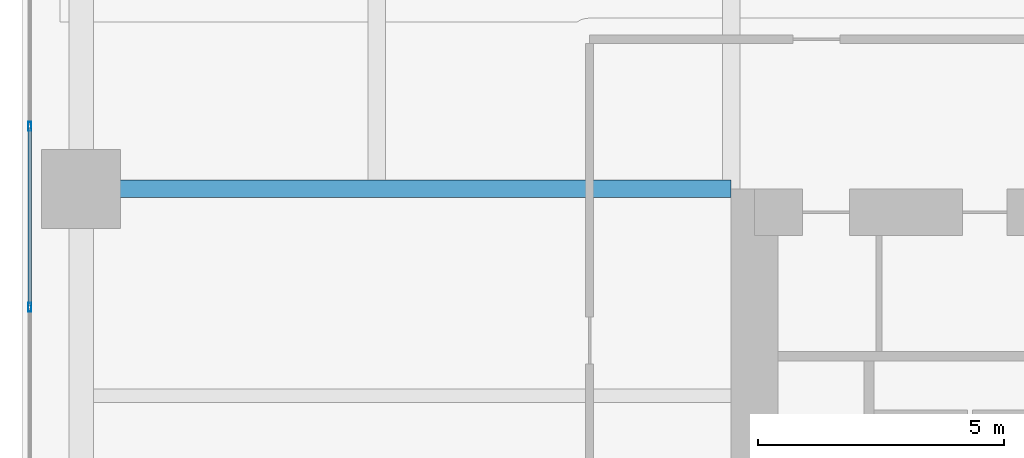
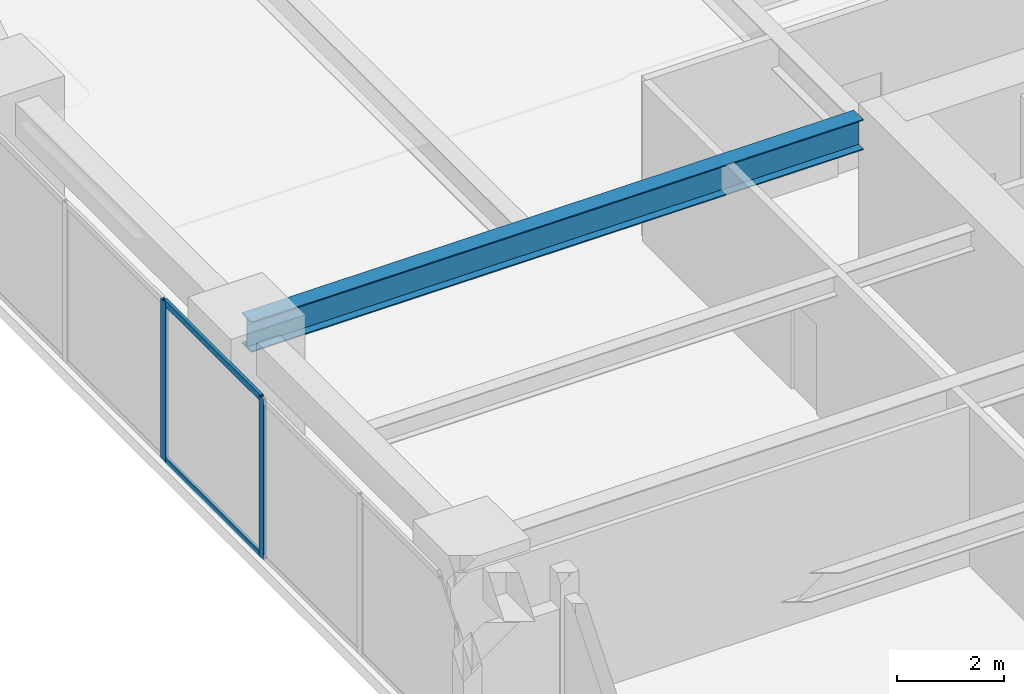
# One storey, part 11 of 28: 4 members, 1 beam, 1 element without a shape of its own.
"""IFC4 building model written with IfcOpenShell, lengths in metres."""

from ifc_helpers import new_model, si_unit, direction, frame, origin, origin_2d, place, context, subcontext, project, spatial, hollow_rectangle, i_section, extrude, material, layer, layer_set, material_profile, profile_set, type_object, element, aggregate, save


model = new_model("IFC4")

# Units and contexts
model_context = context("Model", 3, precision=1e-05, world=origin(), true_north=direction((0.0, 1.0)))
body_context = subcontext(model_context, "Body", "Model", "MODEL_VIEW")
ifc_project = project(units=[si_unit("LENGTHUNIT", "METRE"), si_unit("AREAUNIT", "SQUARE_METRE"), si_unit("VOLUMEUNIT", "CUBIC_METRE"), si_unit("PLANEANGLEUNIT", "RADIAN"), si_unit("MASSUNIT", "GRAM", prefix="KILO")], contexts=[model_context])

# Site, building, storey
site_placement = place(None, origin())
site = spatial("IfcSite", under=ifc_project, at=site_placement, CompositionType="ELEMENT")
building_placement = place(site_placement, origin())
building = spatial("IfcBuilding", under=site, at=building_placement, Name="Kiyonajd Concourse Tower", CompositionType="ELEMENT")
storey_placement = place(building_placement, frame((0.0, 0.0, 60.60009765625)))
storey = spatial("IfcBuildingStorey", under=building, at=storey_placement, Name="L16", CompositionType="ELEMENT", Elevation=60.60009765625)

# Beam
ifc_material_1 = material(Name="Steel ASTM A992 Grade 50", Category="steel")
ifc_material_profile_1 = material_profile(ifc_material_1, i_section(OverallWidth=0.35498046875, OverallDepth=0.695068359375, WebThickness=0.015380859375, FlangeThickness=0.02490234375, at=origin_2d()), Name="W690X217")
ifc_profile_set_1 = profile_set([ifc_material_profile_1], Name="Steel ASTM A992 Grade 50")
beam_type = type_object("IfcBeamType", Name="BM-TWR-690", PredefinedType="BEAM", material=ifc_profile_set_1)
beam_placement = place(storey_placement, frame((19.199951171875, 44.39990234375, 3.29248046875), z_axis=(1.0, 0.0, 0.0), x_axis=(0.0, 1.0, 0.0)))
element("IfcBeam", 1, at=beam_placement, inside=storey, type_object=beam_type, Name="L16 West Lease Girder", PredefinedType="BEAM", context=body_context, shape_type="SweptSolid", body=[
    extrude(i_section(OverallWidth=0.35498046875, OverallDepth=0.695068359375, WebThickness=0.015380859375, FlangeThickness=0.02490234375, at=origin_2d()), origin(), (0.0, 0.0, 1.0), 13.199951171875),
])

# Curtain wall, members
ifc_material_2 = material(Name="Thermally Broken Anodised Aluminium", Category="aluminium")
ifc_layer = layer(ifc_material_2, 0.179931640625)
ifc_layer_set = layer_set([ifc_layer], Name="Thermally Broken Anodised Aluminium")
curtain_wall_type = type_object("IfcCurtainWallType", Name="CW-SYS-02", PredefinedType="NOTDEFINED", material=ifc_layer_set)
curtain_wall_placement = place(storey_placement, origin())
curtain_wall = element("IfcCurtainWall", 2, at=curtain_wall_placement, inside=storey, type_object=curtain_wall_type, Name="L16 Unitised Curtain Wall CW2", PredefinedType="NOTDEFINED")
ifc_material_profile_2 = material_profile(ifc_material_2, hollow_rectangle(XDim=0.06494140625, YDim=0.179931640625, WallThickness=0.00390625, at=origin_2d()), Name="MULL-65x180")
ifc_profile_set_2 = profile_set([ifc_material_profile_2], Name="Thermally Broken Anodised Aluminium")
member_type_1 = type_object("IfcMemberType", Name="MB-CW-MULL1", PredefinedType="MULLION", material=ifc_profile_set_2)
member_1_placement = place(storey_placement, frame((18.159912109375, 41.996337890625, 0.0), z_axis=(0.0, 0.0, 1.0), x_axis=(-1.0, 0.0, 0.0)))
member_1 = element("IfcMember", 3, at=member_1_placement, type_object=member_type_1, Name="CW2 mullion 3", PredefinedType="MULLION", context=body_context, shape_type="SweptSolid", body=[
    extrude(hollow_rectangle(XDim=0.06494140625, YDim=0.179931640625, WallThickness=0.00390625, at=origin_2d()), origin(), (0.0, 0.0, 1.0), 3.639892578125),
])
member_2_placement = place(storey_placement, frame((18.159912109375, 45.66943359375, 0.0), z_axis=(0.0, 0.0, 1.0), x_axis=(-1.0, 0.0, 0.0)))
member_2 = element("IfcMember", 4, at=member_2_placement, type_object=member_type_1, Name="CW2 mullion 4", PredefinedType="MULLION", context=body_context, shape_type="SweptSolid", body=[
    extrude(hollow_rectangle(XDim=0.06494140625, YDim=0.179931640625, WallThickness=0.00390625, at=origin_2d()), origin(), (0.0, 0.0, 1.0), 3.639892578125),
])
ifc_material_profile_3 = material_profile(ifc_material_2, hollow_rectangle(XDim=0.06494140625, YDim=0.139892578125, WallThickness=0.00390625, at=origin_2d()), Name="TRAN-65x140")
ifc_profile_set_3 = profile_set([ifc_material_profile_3], Name="Thermally Broken Anodised Aluminium")
member_type_2 = type_object("IfcMemberType", Name="MB-CW-TRAN1", PredefinedType="USERDEFINED", material=ifc_profile_set_3)
member_3_placement = place(storey_placement, frame((18.159912109375, 42.02880859375, 0.032470703125), z_axis=(0.0, 1.0, 0.0), x_axis=(-1.0, 0.0, 0.0)))
member_3 = element("IfcMember", 5, at=member_3_placement, type_object=member_type_2, Name="CW2 transom 3.1", ObjectType="TRANSOM", PredefinedType="USERDEFINED", context=body_context, shape_type="SweptSolid", body=[
    extrude(hollow_rectangle(XDim=0.06494140625, YDim=0.139892578125, WallThickness=0.00390625, at=origin_2d()), origin(), (0.0, 0.0, 1.0), 3.608154296875),
])
member_4_placement = place(storey_placement, frame((18.159912109375, 42.02880859375, 3.607421875), z_axis=(0.0, 1.0, 0.0), x_axis=(-1.0, 0.0, 0.0)))
member_4 = element("IfcMember", 6, at=member_4_placement, type_object=member_type_2, Name="CW2 transom 3.2", ObjectType="TRANSOM", PredefinedType="USERDEFINED", context=body_context, shape_type="SweptSolid", body=[
    extrude(hollow_rectangle(XDim=0.06494140625, YDim=0.139892578125, WallThickness=0.00390625, at=origin_2d()), origin(), (0.0, 0.0, 1.0), 3.608154296875),
])
aggregate(curtain_wall, [member_1, member_2, member_3, member_4])

save(model, "model.ifc")
